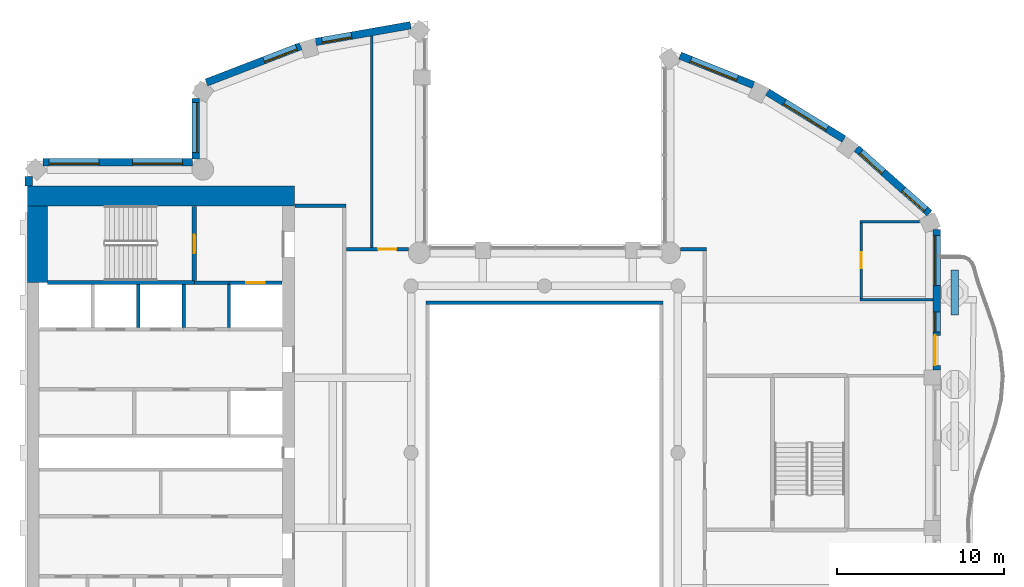
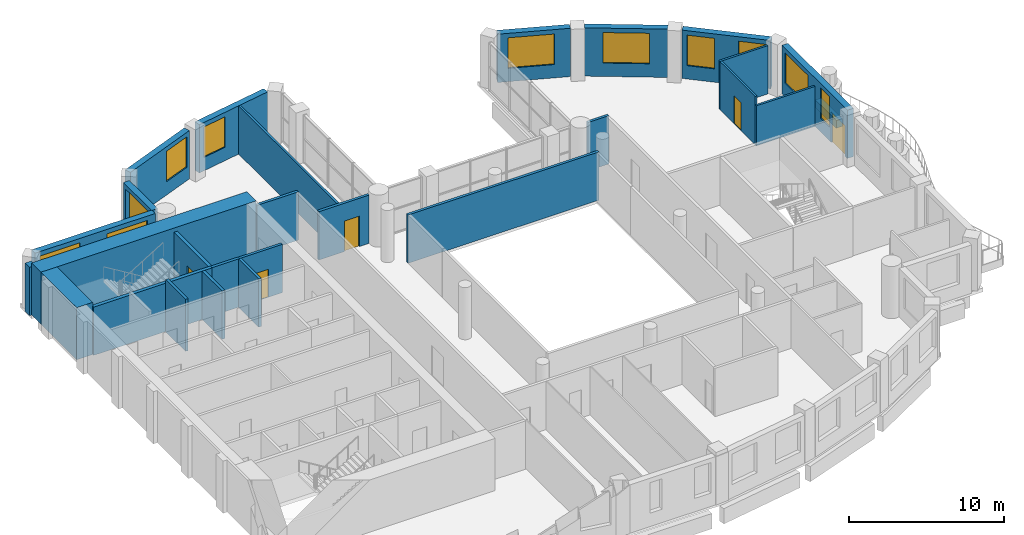
# One storey, part 7 of 14: 27 walls, 11 windows, 5 doors, 16 openings.
"""IFC4 building model written with IfcOpenShell, lengths in metres."""

from ifc_helpers import new_model, si_unit, direction, frame, frame_2d, origin, place, context, subcontext, project, spatial, rectangle, extrude, material, layer, layer_set, type_object, element, fill, save


model = new_model("IFC4")

# Units and contexts
model_context = context("Model", 3, precision=1e-05, world=origin(), true_north=direction((0.0, 1.0)))
body_context = subcontext(model_context, "Body", "Model", "MODEL_VIEW")
ifc_project = project(units=[si_unit("LENGTHUNIT", "METRE"), si_unit("AREAUNIT", "SQUARE_METRE"), si_unit("VOLUMEUNIT", "CUBIC_METRE"), si_unit("PLANEANGLEUNIT", "RADIAN"), si_unit("MASSUNIT", "GRAM", prefix="KILO")], contexts=[model_context])

# Site, building, storey
site_placement = place(None, origin())
site = spatial("IfcSite", under=ifc_project, at=site_placement, CompositionType="ELEMENT")
building_placement = place(site_placement, origin())
building = spatial("IfcBuilding", under=site, at=building_placement, Name="Cypress Arch Tower", CompositionType="ELEMENT")
storey_placement = place(building_placement, frame((0.0, 0.0, 300.800048828125)))
storey = spatial("IfcBuildingStorey", under=building, at=storey_placement, Name="L68", CompositionType="ELEMENT", Elevation=300.800048828125)

# Wall
ifc_material_1 = material(Name="Concrete C40/50, waterproofed", Category="concrete")
ifc_layer_1 = layer(ifc_material_1, 0.449951171875)
ifc_layer_set_1 = layer_set([ifc_layer_1], Name="Balcony planter wall PW450")
wall_type_1 = type_object("IfcWallType", Name="Balcony planter wall PW450", PredefinedType="SOLIDWALL", material=ifc_layer_set_1)
wall_1_placement = place(storey_placement, frame((25.60009765625, 8.25, 0.0), z_axis=(0.0, 0.0, 1.0), x_axis=(0.0, 1.0, 0.0)))
element("IfcWall", 1, at=wall_1_placement, inside=storey, type_object=wall_type_1, Name="Balcony planter wall L68-C17.3", PredefinedType="SOLIDWALL", context=body_context, shape_type="SweptSolid", body=[
    extrude(rectangle(XDim=2.699951171875, YDim=0.449951171875, at=frame_2d((1.35009765625, 0.0))), origin(), (0.0, 0.0, 1.0), 0.599853515625),
])

# Wall, opening, window
ifc_material_2 = material(Name="Brick (red buff blend)", Category="masonry")
ifc_layer_2 = layer(ifc_material_2, 0.449951171875)
ifc_layer_set_2 = layer_set([ifc_layer_2], Name="Brick pier and spandrel wall BW450")
wall_type_2 = type_object("IfcWallType", Name="Brick pier and spandrel wall BW450", PredefinedType="SOLIDWALL", material=ifc_layer_set_2)
wall_2_placement = place(storey_placement, frame((-7.028564453125, 25.63232421875, 0.0), z_axis=(0.0, 0.0, 1.0), x_axis=(-0.984797606634, -0.173705710808, 0.0)))
wall_2 = element("IfcWall", 2, at=wall_2_placement, inside=storey, type_object=wall_type_2, Name="Brick wall L68 C03.0", PredefinedType="SOLIDWALL", context=body_context, shape_type="SweptSolid", body=[
    extrude(rectangle(XDim=5.772216796875, YDim=0.449951171875, at=frame_2d((2.88623046875, 0.0))), origin(), (0.0, 0.0, 1.0), 3.800048828125),
])
opening_1_placement = place(wall_2_placement, frame((3.59326171875, 0.0, 1.050048828125)))
opening_1 = element("IfcOpeningElement", 3, at=opening_1_placement, cuts=wall_2, Name="Opening W180O", PredefinedType="OPENING", context=body_context, shape_type="SweptSolid", body=[
    extrude(rectangle(XDim=1.800048828125, YDim=2.39990234375, at=frame_2d((0.89990234375, 1.199951171875))), frame((0.0, 0.23486328125, 0.0), z_axis=(0.0, -1.0, 0.0), x_axis=(1.0, 0.0, 0.0)), (0.0, 0.0, 1.0), 0.469970703125),
])
ifc_material_3 = material(Name="Anodised aluminium, bronze finish, clear low-emissivity double glazing", Category="aluminium")
window_type_1 = type_object("IfcWindowType", Name="Window Office 1800x2400", PartitioningType="SINGLE_PANEL", PredefinedType="WINDOW", material=ifc_material_3)
window_1_placement = place(opening_1_placement, origin())
window_1 = element("IfcWindow", 4, at=window_1_placement, inside=storey, type_object=window_type_1, Name="Window L68 C03.0.2", OverallHeight=2.39990234375, OverallWidth=1.800048828125, PartitioningType="SINGLE_PANEL", PredefinedType="WINDOW", context=body_context, shape_type="SweptSolid", body=[
    extrude(rectangle(XDim=1.800048828125, YDim=2.39990234375, at=frame_2d((0.89990234375, 1.199951171875))), frame((0.0, 0.135009765625, 0.0), z_axis=(0.0, -1.0, 0.0), x_axis=(1.0, 0.0, 0.0)), (0.0, 0.0, 1.0), 0.06005859375),
])
fill(opening_1, window_1)

wall_3_placement = place(storey_placement, frame((-13.6220703125, 24.376953125, 0.0), z_axis=(0.0, 0.0, 1.0), x_axis=(-0.933129259679, -0.359541075164, 0.0)))
wall_3 = element("IfcWall", 5, at=wall_3_placement, inside=storey, type_object=wall_type_2, Name="Brick wall L68 C04.0", PredefinedType="SOLIDWALL", context=body_context, shape_type="SweptSolid", body=[
    extrude(rectangle(XDim=6.05419921875, YDim=0.449951171875, at=frame_2d((3.027099609375, 0.0))), origin(), (0.0, 0.0, 1.0), 3.800048828125),
])
opening_2_placement = place(wall_3_placement, frame((0.260986328125, 0.0, 1.050048828125)))
opening_2 = element("IfcOpeningElement", 6, at=opening_2_placement, cuts=wall_3, Name="Opening W210O", PredefinedType="OPENING", context=body_context, shape_type="SweptSolid", body=[
    extrude(rectangle(XDim=2.10009765625, YDim=2.39990234375, at=frame_2d((1.050048828125, 1.199951171875))), frame((0.0, 0.23486328125, 0.0), z_axis=(0.0, -1.0, 0.0), x_axis=(1.0, 0.0, 0.0)), (0.0, 0.0, 1.0), 0.469970703125),
])
ifc_material_4 = material(Name="Anodised aluminium, bronze finish, clear low-emissivity double glazing", Category="aluminium")
window_type_2 = type_object("IfcWindowType", Name="Window Office 2100x2400", PartitioningType="SINGLE_PANEL", PredefinedType="WINDOW", material=ifc_material_4)
window_2_placement = place(opening_2_placement, origin())
window_2 = element("IfcWindow", 7, at=window_2_placement, inside=storey, type_object=window_type_2, Name="Window L68 C04.0.1", OverallHeight=2.39990234375, OverallWidth=2.10009765625, PartitioningType="SINGLE_PANEL", PredefinedType="WINDOW", context=body_context, shape_type="SweptSolid", body=[
    extrude(rectangle(XDim=2.10009765625, YDim=2.39990234375, at=frame_2d((1.050048828125, 1.199951171875))), frame((0.0, 0.135009765625, 0.0), z_axis=(0.0, -1.0, 0.0), x_axis=(1.0, 0.0, 0.0)), (0.0, 0.0, 1.0), 0.06005859375),
])
fill(opening_2, window_2)

wall_4_placement = place(storey_placement, frame((-19.925048828125, 21.248291015625, 0.0), z_axis=(0.0, 0.0, 1.0), x_axis=(0.0, -1.0, 0.0)))
wall_4 = element("IfcWall", 8, at=wall_4_placement, inside=storey, type_object=wall_type_2, Name="Brick wall L68 C05.0", PredefinedType="SOLIDWALL", context=body_context, shape_type="SweptSolid", body=[
    extrude(rectangle(XDim=3.646728515625, YDim=0.449951171875, at=frame_2d((1.8232421875, 0.0))), origin(), (0.0, 0.0, 1.0), 3.800048828125),
])
opening_3_placement = place(wall_4_placement, frame((0.251220703125, 0.0, 1.050048828125)))
opening_3 = element("IfcOpeningElement", 9, at=opening_3_placement, cuts=wall_4, Name="Opening W300O", PredefinedType="OPENING", context=body_context, shape_type="SweptSolid", body=[
    extrude(rectangle(XDim=3.0, YDim=2.39990234375, at=frame_2d((1.5, 1.199951171875))), frame((0.0, 0.23486328125, 0.0), z_axis=(0.0, -1.0, 0.0), x_axis=(1.0, 0.0, 0.0)), (0.0, 0.0, 1.0), 0.469970703125),
])
ifc_material_5 = material(Name="Anodised aluminium, bronze finish, clear low-emissivity double glazing", Category="aluminium")
window_type_3 = type_object("IfcWindowType", Name="Window Office 3000x2400", PartitioningType="SINGLE_PANEL", PredefinedType="WINDOW", material=ifc_material_5)
window_3_placement = place(opening_3_placement, origin())
window_3 = element("IfcWindow", 10, at=window_3_placement, inside=storey, type_object=window_type_3, Name="Window L68 C05.0.1", OverallHeight=2.39990234375, OverallWidth=3.0, PartitioningType="SINGLE_PANEL", PredefinedType="WINDOW", context=body_context, shape_type="SweptSolid", body=[
    extrude(rectangle(XDim=3.0, YDim=2.39990234375, at=frame_2d((1.5, 1.199951171875))), frame((0.0, 0.135009765625, 0.0), z_axis=(0.0, -1.0, 0.0), x_axis=(1.0, 0.0, 0.0)), (0.0, 0.0, 1.0), 0.06005859375),
])
fill(opening_3, window_3)

# Wall, openings, windows
wall_5_placement = place(storey_placement, frame((-20.1015625, 17.425048828125, 0.0), z_axis=(0.0, 0.0, 1.0), x_axis=(-1.0, 0.0, 0.0)))
wall_5 = element("IfcWall", 11, at=wall_5_placement, inside=storey, type_object=wall_type_2, Name="Brick wall L68 C06.0", PredefinedType="SOLIDWALL", context=body_context, shape_type="SweptSolid", body=[
    extrude(rectangle(XDim=8.962158203125, YDim=0.449951171875, at=frame_2d((4.48095703125, 0.0))), origin(), (0.0, 0.0, 1.0), 3.800048828125),
])
opening_4_placement = place(wall_5_placement, frame((0.598388671875, 0.0, 1.050048828125)))
opening_4 = element("IfcOpeningElement", 12, at=opening_4_placement, cuts=wall_5, Name="Opening W300O", PredefinedType="OPENING", context=body_context, shape_type="SweptSolid", body=[
    extrude(rectangle(XDim=3.0, YDim=2.39990234375, at=frame_2d((1.5, 1.199951171875))), frame((0.0, 0.23486328125, 0.0), z_axis=(0.0, -1.0, 0.0), x_axis=(1.0, 0.0, 0.0)), (0.0, 0.0, 1.0), 0.469970703125),
])
opening_5_placement = place(wall_5_placement, frame((5.598388671875, 0.0, 1.050048828125)))
opening_5 = element("IfcOpeningElement", 13, at=opening_5_placement, cuts=wall_5, Name="Opening W300O", PredefinedType="OPENING", context=body_context, shape_type="SweptSolid", body=[
    extrude(rectangle(XDim=3.0, YDim=2.39990234375, at=frame_2d((1.5, 1.199951171875))), frame((0.0, 0.23486328125, 0.0), z_axis=(0.0, -1.0, 0.0), x_axis=(1.0, 0.0, 0.0)), (0.0, 0.0, 1.0), 0.469970703125),
])
window_4_placement = place(opening_4_placement, origin())
window_4 = element("IfcWindow", 14, at=window_4_placement, inside=storey, type_object=window_type_3, Name="Window L68 C06.0.1", OverallHeight=2.39990234375, OverallWidth=3.0, PartitioningType="SINGLE_PANEL", PredefinedType="WINDOW", context=body_context, shape_type="SweptSolid", body=[
    extrude(rectangle(XDim=3.0, YDim=2.39990234375, at=frame_2d((1.5, 1.199951171875))), frame((0.0, 0.135009765625, 0.0), z_axis=(0.0, -1.0, 0.0), x_axis=(1.0, 0.0, 0.0)), (0.0, 0.0, 1.0), 0.06005859375),
])
fill(opening_4, window_4)
window_5_placement = place(opening_5_placement, origin())
window_5 = element("IfcWindow", 15, at=window_5_placement, inside=storey, type_object=window_type_3, Name="Window L68 C06.0.2", OverallHeight=2.39990234375, OverallWidth=3.0, PartitioningType="SINGLE_PANEL", PredefinedType="WINDOW", context=body_context, shape_type="SweptSolid", body=[
    extrude(rectangle(XDim=3.0, YDim=2.39990234375, at=frame_2d((1.5, 1.199951171875))), frame((0.0, 0.135009765625, 0.0), z_axis=(0.0, -1.0, 0.0), x_axis=(1.0, 0.0, 0.0)), (0.0, 0.0, 1.0), 0.06005859375),
])
fill(opening_5, window_5)

# Wall
wall_6_placement = place(storey_placement, frame((-29.925048828125, 16.563720703125, 0.0), z_axis=(0.0, 0.0, 1.0), x_axis=(0.0, -1.0, 0.0)))
element("IfcWall", 16, at=wall_6_placement, inside=storey, type_object=wall_type_2, Name="Brick wall L68 C07.0", PredefinedType="SOLIDWALL", context=body_context, shape_type="SweptSolid", body=[
    extrude(rectangle(XDim=0.563720703125, YDim=0.449951171875, at=frame_2d((0.28173828125, 0.0))), origin(), (0.0, 0.0, 1.0), 3.800048828125),
])

# Wall, openings, door, windows
wall_7_placement = place(storey_placement, frame((24.52490234375, 4.949951171875, 0.0), z_axis=(0.0, 0.0, 1.0), x_axis=(0.0, 1.0, 0.0)))
wall_7 = element("IfcWall", 17, at=wall_7_placement, inside=storey, type_object=wall_type_2, Name="Brick wall L68 C17.2", PredefinedType="SOLIDWALL", context=body_context, shape_type="SweptSolid", body=[
    extrude(rectangle(XDim=8.421875, YDim=0.449951171875, at=frame_2d((4.2109375, 0.0))), origin(), (0.0, 0.0, 1.0), 3.800048828125),
])
opening_6_placement = place(wall_7_placement, frame((0.291259765625, 0.0, 0.0)))
opening_6 = element("IfcOpeningElement", 18, at=opening_6_placement, cuts=wall_7, Name="Opening D-L68-C17.2.1", PredefinedType="OPENING", context=body_context, shape_type="SweptSolid", body=[
    extrude(rectangle(XDim=1.800048828125, YDim=2.39990234375, at=frame_2d((0.89990234375, 1.199951171875))), frame((0.0, 0.23486328125, 0.0), z_axis=(0.0, -1.0, 0.0), x_axis=(1.0, 0.0, 0.0)), (0.0, 0.0, 1.0), 0.469970703125),
])
opening_7_placement = place(wall_7_placement, frame((2.291259765625, 0.0, 1.050048828125)))
opening_7 = element("IfcOpeningElement", 19, at=opening_7_placement, cuts=wall_7, Name="Opening W120OD", PredefinedType="OPENING", context=body_context, shape_type="SweptSolid", body=[
    extrude(rectangle(XDim=1.199951171875, YDim=2.39990234375, at=frame_2d((0.60009765625, 1.199951171875))), frame((0.0, 0.23486328125, 0.0), z_axis=(0.0, -1.0, 0.0), x_axis=(1.0, 0.0, 0.0)), (0.0, 0.0, 1.0), 0.469970703125),
])
opening_8_placement = place(wall_7_placement, frame((5.073974609375, 0.0, 1.050048828125)))
opening_8 = element("IfcOpeningElement", 20, at=opening_8_placement, cuts=wall_7, Name="Opening W300OD", PredefinedType="OPENING", context=body_context, shape_type="SweptSolid", body=[
    extrude(rectangle(XDim=3.0, YDim=2.39990234375, at=frame_2d((1.5, 1.199951171875))), frame((0.0, 0.23486328125, 0.0), z_axis=(0.0, -1.0, 0.0), x_axis=(1.0, 0.0, 0.0)), (0.0, 0.0, 1.0), 0.469970703125),
])
ifc_material_6 = material(Name="Anodised aluminium, bronze finish, laminated low-emissivity double glazing, large-missile impact rated", Category="aluminium")
door_type_1 = type_object("IfcDoorType", Name="Balcony sliding door 1800x2400", OperationType="SLIDING_TO_LEFT", PredefinedType="DOOR", material=ifc_material_6)
door_1_placement = place(opening_6_placement, origin())
door_1 = element("IfcDoor", 21, at=door_1_placement, inside=storey, type_object=door_type_1, Name="Balcony door L68 C17.2.1", OperationType="SLIDING_TO_LEFT", OverallHeight=2.39990234375, OverallWidth=1.800048828125, PredefinedType="DOOR", context=body_context, shape_type="SweptSolid", body=[
    extrude(rectangle(XDim=1.800048828125, YDim=2.39990234375, at=frame_2d((0.89990234375, 1.199951171875))), frame((0.0, 0.1298828125, 0.0), z_axis=(0.0, -1.0, 0.0), x_axis=(1.0, 0.0, 0.0)), (0.0, 0.0, 1.0), 0.050048828125),
])
fill(opening_6, door_1)
ifc_material_7 = material(Name="Anodised aluminium, bronze finish, laminated low-emissivity double glazing, large-missile impact rated", Category="aluminium")
window_type_4 = type_object("IfcWindowType", Name="Window Office 1200x2400 debris-rated", PartitioningType="SINGLE_PANEL", PredefinedType="WINDOW", material=ifc_material_7)
window_6_placement = place(opening_7_placement, origin())
window_6 = element("IfcWindow", 22, at=window_6_placement, inside=storey, type_object=window_type_4, Name="Window L68 C17.2.1", OverallHeight=2.39990234375, OverallWidth=1.199951171875, PartitioningType="SINGLE_PANEL", PredefinedType="WINDOW", context=body_context, shape_type="SweptSolid", body=[
    extrude(rectangle(XDim=1.199951171875, YDim=2.39990234375, at=frame_2d((0.60009765625, 1.199951171875))), frame((0.0, 0.135009765625, 0.0), z_axis=(0.0, -1.0, 0.0), x_axis=(1.0, 0.0, 0.0)), (0.0, 0.0, 1.0), 0.06005859375),
])
fill(opening_7, window_6)
ifc_material_8 = material(Name="Anodised aluminium, bronze finish, laminated low-emissivity double glazing, large-missile impact rated", Category="aluminium")
window_type_5 = type_object("IfcWindowType", Name="Window Office 3000x2400 debris-rated", PartitioningType="SINGLE_PANEL", PredefinedType="WINDOW", material=ifc_material_8)
window_7_placement = place(opening_8_placement, origin())
window_7 = element("IfcWindow", 23, at=window_7_placement, inside=storey, type_object=window_type_5, Name="Window L68 C17.2.2", OverallHeight=2.39990234375, OverallWidth=3.0, PartitioningType="SINGLE_PANEL", PredefinedType="WINDOW", context=body_context, shape_type="SweptSolid", body=[
    extrude(rectangle(XDim=3.0, YDim=2.39990234375, at=frame_2d((1.5, 1.199951171875))), frame((0.0, 0.135009765625, 0.0), z_axis=(0.0, -1.0, 0.0), x_axis=(1.0, 0.0, 0.0)), (0.0, 0.0, 1.0), 0.06005859375),
])
fill(opening_8, window_7)

# Wall, openings, windows
wall_8_placement = place(storey_placement, frame((24.08056640625, 14.361083984375, 0.0), z_axis=(0.0, 0.0, 1.0), x_axis=(-0.747570482973, 0.664182484704, 0.0)))
wall_8 = element("IfcWall", 24, at=wall_8_placement, inside=storey, type_object=wall_type_2, Name="Brick wall L68 C18.0", PredefinedType="SOLIDWALL", context=body_context, shape_type="SweptSolid", body=[
    extrude(rectangle(XDim=5.849609375, YDim=0.449951171875, at=frame_2d((2.9248046875, 0.0))), origin(), (0.0, 0.0, 1.0), 3.800048828125),
])
opening_9_placement = place(wall_8_placement, frame((0.305419921875, 0.0, 1.050048828125)))
opening_9 = element("IfcOpeningElement", 25, at=opening_9_placement, cuts=wall_8, Name="Opening W180O", PredefinedType="OPENING", context=body_context, shape_type="SweptSolid", body=[
    extrude(rectangle(XDim=1.800048828125, YDim=2.39990234375, at=frame_2d((0.89990234375, 1.199951171875))), frame((0.0, 0.23486328125, 0.0), z_axis=(0.0, -1.0, 0.0), x_axis=(1.0, 0.0, 0.0)), (0.0, 0.0, 1.0), 0.469970703125),
])
opening_10_placement = place(wall_8_placement, frame((3.702880859375, 0.0, 1.050048828125)))
opening_10 = element("IfcOpeningElement", 26, at=opening_10_placement, cuts=wall_8, Name="Opening W180O", PredefinedType="OPENING", context=body_context, shape_type="SweptSolid", body=[
    extrude(rectangle(XDim=1.800048828125, YDim=2.39990234375, at=frame_2d((0.89990234375, 1.199951171875))), frame((0.0, 0.23486328125, 0.0), z_axis=(0.0, -1.0, 0.0), x_axis=(1.0, 0.0, 0.0)), (0.0, 0.0, 1.0), 0.469970703125),
])
window_8_placement = place(opening_9_placement, origin())
window_8 = element("IfcWindow", 27, at=window_8_placement, inside=storey, type_object=window_type_1, Name="Window L68 C18.0.1", OverallHeight=2.39990234375, OverallWidth=1.800048828125, PartitioningType="SINGLE_PANEL", PredefinedType="WINDOW", context=body_context, shape_type="SweptSolid", body=[
    extrude(rectangle(XDim=1.800048828125, YDim=2.39990234375, at=frame_2d((0.89990234375, 1.199951171875))), frame((0.0, 0.135009765625, 0.0), z_axis=(0.0, -1.0, 0.0), x_axis=(1.0, 0.0, 0.0)), (0.0, 0.0, 1.0), 0.06005859375),
])
fill(opening_9, window_8)
window_9_placement = place(opening_10_placement, origin())
window_9 = element("IfcWindow", 28, at=window_9_placement, inside=storey, type_object=window_type_1, Name="Window L68 C18.0.2", OverallHeight=2.39990234375, OverallWidth=1.800048828125, PartitioningType="SINGLE_PANEL", PredefinedType="WINDOW", context=body_context, shape_type="SweptSolid", body=[
    extrude(rectangle(XDim=1.800048828125, YDim=2.39990234375, at=frame_2d((0.89990234375, 1.199951171875))), frame((0.0, 0.135009765625, 0.0), z_axis=(0.0, -1.0, 0.0), x_axis=(1.0, 0.0, 0.0)), (0.0, 0.0, 1.0), 0.06005859375),
])
fill(opening_10, window_9)

# Wall, opening, window
wall_9_placement = place(storey_placement, frame((18.953369140625, 18.806396484375, 0.0), z_axis=(0.0, 0.0, 1.0), x_axis=(-0.851860664503, 0.523768468193, 0.0)))
wall_9 = element("IfcWall", 29, at=wall_9_placement, inside=storey, type_object=wall_type_2, Name="Brick wall L68 C19.0", PredefinedType="SOLIDWALL", context=body_context, shape_type="SweptSolid", body=[
    extrude(rectangle(XDim=5.3837890625, YDim=0.449951171875, at=frame_2d((2.69189453125, 0.0))), origin(), (0.0, 0.0, 1.0), 3.800048828125),
])
opening_11_placement = place(wall_9_placement, frame((1.19189453125, 0.0, 1.050048828125)))
opening_11 = element("IfcOpeningElement", 30, at=opening_11_placement, cuts=wall_9, Name="Opening W300O", PredefinedType="OPENING", context=body_context, shape_type="SweptSolid", body=[
    extrude(rectangle(XDim=3.0, YDim=2.39990234375, at=frame_2d((1.5, 1.199951171875))), frame((0.0, 0.23486328125, 0.0), z_axis=(0.0, -1.0, 0.0), x_axis=(1.0, 0.0, 0.0)), (0.0, 0.0, 1.0), 0.469970703125),
])
window_10_placement = place(opening_11_placement, origin())
window_10 = element("IfcWindow", 31, at=window_10_placement, inside=storey, type_object=window_type_3, Name="Window L68 C19.0.1", OverallHeight=2.39990234375, OverallWidth=3.0, PartitioningType="SINGLE_PANEL", PredefinedType="WINDOW", context=body_context, shape_type="SweptSolid", body=[
    extrude(rectangle(XDim=3.0, YDim=2.39990234375, at=frame_2d((1.5, 1.199951171875))), frame((0.0, 0.135009765625, 0.0), z_axis=(0.0, -1.0, 0.0), x_axis=(1.0, 0.0, 0.0)), (0.0, 0.0, 1.0), 0.06005859375),
])
fill(opening_11, window_10)

wall_10_placement = place(storey_placement, frame((13.529296875, 22.04833984375, 0.0), z_axis=(0.0, 0.0, 1.0), x_axis=(-0.927957332619, 0.372686448424, 0.0)))
wall_10 = element("IfcWall", 32, at=wall_10_placement, inside=storey, type_object=wall_type_2, Name="Brick wall L68 C20.0", PredefinedType="SOLIDWALL", context=body_context, shape_type="SweptSolid", body=[
    extrude(rectangle(XDim=4.741455078125, YDim=0.449951171875, at=frame_2d((2.37060546875, 0.0))), origin(), (0.0, 0.0, 1.0), 3.800048828125),
])
opening_12_placement = place(wall_10_placement, frame((1.046630859375, 0.0, 1.050048828125)))
opening_12 = element("IfcOpeningElement", 33, at=opening_12_placement, cuts=wall_10, Name="Opening W300O", PredefinedType="OPENING", context=body_context, shape_type="SweptSolid", body=[
    extrude(rectangle(XDim=3.0, YDim=2.39990234375, at=frame_2d((1.5, 1.199951171875))), frame((0.0, 0.23486328125, 0.0), z_axis=(0.0, -1.0, 0.0), x_axis=(1.0, 0.0, 0.0)), (0.0, 0.0, 1.0), 0.469970703125),
])
window_11_placement = place(opening_12_placement, origin())
window_11 = element("IfcWindow", 34, at=window_11_placement, inside=storey, type_object=window_type_3, Name="Window L68 C20.0.1", OverallHeight=2.39990234375, OverallWidth=3.0, PartitioningType="SINGLE_PANEL", PredefinedType="WINDOW", context=body_context, shape_type="SweptSolid", body=[
    extrude(rectangle(XDim=3.0, YDim=2.39990234375, at=frame_2d((1.5, 1.199951171875))), frame((0.0, 0.135009765625, 0.0), z_axis=(0.0, -1.0, 0.0), x_axis=(1.0, 0.0, 0.0)), (0.0, 0.0, 1.0), 0.06005859375),
])
fill(opening_12, window_11)

# Walls
ifc_material_9 = material(Name="Concrete C60/75", Category="concrete")
ifc_layer_3 = layer(ifc_material_9, 1.199951171875)
ifc_layer_set_3 = layer_set([ifc_layer_3], Name="Core wall CW1200 C60/75")
wall_type_3 = type_object("IfcWallType", Name="Core wall CW1200 C60/75", PredefinedType="SHEAR", material=ifc_layer_set_3)
wall_11_placement = place(storey_placement, frame((-30.0, 15.39990234375, 0.0), z_axis=(0.0, 0.0, 1.0), x_axis=(1.0, 0.0, 0.0)))
element("IfcWall", 35, at=wall_11_placement, inside=storey, type_object=wall_type_3, Name="Core wall", PredefinedType="SHEAR", context=body_context, shape_type="SweptSolid", body=[
    extrude(rectangle(XDim=16.0, YDim=1.199951171875, at=frame_2d((8.0, 0.0))), origin(), (0.0, 0.0, 1.0), 4.099853515625),
])
wall_12_placement = place(storey_placement, frame((-29.39990234375, 10.199951171875, 0.0), z_axis=(0.0, 0.0, 1.0), x_axis=(0.0, 1.0, 0.0)))
element("IfcWall", 36, at=wall_12_placement, inside=storey, type_object=wall_type_3, Name="Core wall", PredefinedType="SHEAR", context=body_context, shape_type="SweptSolid", body=[
    extrude(rectangle(XDim=4.60009765625, YDim=1.199951171875, at=frame_2d((2.300048828125, 0.0))), origin(), (0.0, 0.0, 1.0), 4.099853515625),
])
ifc_material_10 = material(Name="Concrete blockwork, plastered, rated", Category="masonry")
ifc_layer_4 = layer(ifc_material_10, 0.199951171875)
ifc_layer_set_4 = layer_set([ifc_layer_4], Name="Corridor wall FW200")
wall_type_4 = type_object("IfcWallType", Name="Corridor wall FW200", PredefinedType="PARTITIONING", material=ifc_layer_set_4)
wall_13_placement = place(storey_placement, frame((-20.0, 10.199951171875, 0.0), z_axis=(0.0, 0.0, 1.0), x_axis=(1.0, 0.0, 0.0)))
element("IfcWall", 37, at=wall_13_placement, inside=storey, type_object=wall_type_4, Name="Corridor wall", PredefinedType="PARTITIONING", context=body_context, shape_type="SweptSolid", body=[
    extrude(rectangle(XDim=2.080078125, YDim=0.199951171875, at=frame_2d((1.0400390625, 0.0))), origin(), (0.0, 0.0, 1.0), 3.800048828125),
])
wall_14_placement = place(storey_placement, frame((-13.969970703125, 14.800048828125, 0.0), z_axis=(0.0, 0.0, 1.0), x_axis=(1.0, 0.0, 0.0)))
element("IfcWall", 38, at=wall_14_placement, inside=storey, type_object=wall_type_4, Name="Corridor wall", PredefinedType="PARTITIONING", context=body_context, shape_type="SweptSolid", body=[
    extrude(rectangle(XDim=3.070068359375, YDim=0.199951171875, at=frame_2d((1.53515625, 0.0))), origin(), (0.0, 0.0, 1.0), 3.800048828125),
])

# Wall, opening, door
wall_15_placement = place(storey_placement, frame((-10.8798828125, 12.199951171875, 0.0), z_axis=(0.0, 0.0, 1.0), x_axis=(1.0, 0.0, 0.0)))
wall_15 = element("IfcWall", 39, at=wall_15_placement, inside=storey, type_object=wall_type_4, Name="Corridor wall", PredefinedType="PARTITIONING", context=body_context, shape_type="SweptSolid", body=[
    extrude(rectangle(XDim=3.736083984375, YDim=0.199951171875, at=frame_2d((1.8681640625, 0.0))), origin(), (0.0, 0.0, 1.0), 3.800048828125),
])
opening_13_placement = place(wall_15_placement, frame((1.89990234375, 0.0, 0.0)))
opening_13 = element("IfcOpeningElement", 40, at=opening_13_placement, cuts=wall_15, Name="Opening D01", PredefinedType="OPENING", context=body_context, shape_type="SweptSolid", body=[
    extrude(rectangle(XDim=1.10009765625, YDim=2.39990234375, at=frame_2d((0.550048828125, 1.199951171875))), frame((0.0, 0.10986328125, 0.0), z_axis=(0.0, -1.0, 0.0), x_axis=(1.0, 0.0, 0.0)), (0.0, 0.0, 1.0), 0.219970703125),
])
ifc_material_11 = material(Name="Timber flush door, fire resisting, self-closing", Category="wood")
door_type_2 = type_object("IfcDoorType", Name="Unit entrance door D01 1100x2400", OperationType="SINGLE_SWING_LEFT", PredefinedType="DOOR", material=ifc_material_11)
door_2_placement = place(opening_13_placement, origin())
door_2 = element("IfcDoor", 41, at=door_2_placement, inside=storey, type_object=door_type_2, Name="Unit entrance door", OperationType="SINGLE_SWING_LEFT", OverallHeight=2.39990234375, OverallWidth=1.10009765625, PredefinedType="DOOR", context=body_context, shape_type="SweptSolid", body=[
    extrude(rectangle(XDim=1.10009765625, YDim=2.39990234375, at=frame_2d((0.550048828125, 1.199951171875))), frame((0.0, 0.02490234375, 0.0), z_axis=(0.0, -1.0, 0.0), x_axis=(1.0, 0.0, 0.0)), (0.0, 0.0, 1.0), 0.050048828125),
])
fill(opening_13, door_2)

# Walls
wall_16_placement = place(storey_placement, frame((-6.10009765625, 9.0, 0.0), z_axis=(0.0, 0.0, 1.0), x_axis=(1.0, 0.0, 0.0)))
element("IfcWall", 42, at=wall_16_placement, inside=storey, type_object=wall_type_4, Name="Corridor wall", PredefinedType="PARTITIONING", context=body_context, shape_type="SweptSolid", body=[
    extrude(rectangle(XDim=14.2001953125, YDim=0.199951171875, at=frame_2d((7.10009765625, 0.0))), origin(), (0.0, 0.0, 1.0), 3.800048828125),
])
wall_17_placement = place(storey_placement, frame((9.143798828125, 12.199951171875, 0.0), z_axis=(0.0, 0.0, 1.0), x_axis=(1.0, 0.0, 0.0)))
element("IfcWall", 43, at=wall_17_placement, inside=storey, type_object=wall_type_4, Name="Corridor wall", PredefinedType="PARTITIONING", context=body_context, shape_type="SweptSolid", body=[
    extrude(rectangle(XDim=1.55615234375, YDim=0.199951171875, at=frame_2d((0.778076171875, 0.0))), origin(), (0.0, 0.0, 1.0), 3.800048828125),
])
ifc_material_12 = material(Name="Blockwork, plastered both sides", Category="masonry")
ifc_layer_5 = layer(ifc_material_12, 0.14990234375)
ifc_layer_set_5 = layer_set([ifc_layer_5], Name="Partition PW150")
wall_type_5 = type_object("IfcWallType", Name="Partition PW150", PredefinedType="PARTITIONING", material=ifc_layer_set_5)
wall_18_placement = place(storey_placement, frame((-9.344482421875, 12.320068359375, 0.0), z_axis=(0.0, 0.0, 1.0), x_axis=(0.0, 1.0, 0.0)))
element("IfcWall", 44, at=wall_18_placement, inside=storey, type_object=wall_type_5, Name="Partition", PredefinedType="PARTITIONING", context=body_context, shape_type="SweptSolid", body=[
    extrude(rectangle(XDim=12.67529296875, YDim=0.14990234375, at=frame_2d((6.337646484375, 0.0))), origin(), (0.0, 0.0, 1.0), 3.800048828125),
])

# Wall, opening, door
wall_19_placement = place(storey_placement, frame((20.0, 9.258056640625, 0.0), z_axis=(0.0, 0.0, 1.0), x_axis=(0.0, 1.0, 0.0)))
wall_19 = element("IfcWall", 45, at=wall_19_placement, inside=storey, type_object=wall_type_5, Name="Partition", PredefinedType="PARTITIONING", context=body_context, shape_type="SweptSolid", body=[
    extrude(rectangle(XDim=4.531982421875, YDim=0.14990234375, at=frame_2d((2.26611328125, 0.0))), origin(), (0.0, 0.0, 1.0), 3.800048828125),
])
opening_14_placement = place(wall_19_placement, frame((1.800048828125, 0.0, 0.0)))
opening_14 = element("IfcOpeningElement", 46, at=opening_14_placement, cuts=wall_19, Name="Opening D12", PredefinedType="OPENING", context=body_context, shape_type="SweptSolid", body=[
    extrude(rectangle(XDim=0.949951171875, YDim=2.199951171875, at=frame_2d((0.47509765625, 1.10009765625))), frame((0.0, 0.0849609375, 0.0), z_axis=(0.0, -1.0, 0.0), x_axis=(1.0, 0.0, 0.0)), (0.0, 0.0, 1.0), 0.169921875),
])
ifc_material_13 = material(Name="Timber flush door", Category="wood")
door_type_3 = type_object("IfcDoorType", Name="Room door D12 950x2200", OperationType="SINGLE_SWING_LEFT", PredefinedType="DOOR", material=ifc_material_13)
door_3_placement = place(opening_14_placement, origin())
door_3 = element("IfcDoor", 47, at=door_3_placement, inside=storey, type_object=door_type_3, Name="Room door", OperationType="SINGLE_SWING_RIGHT", OverallHeight=2.199951171875, OverallWidth=0.949951171875, PredefinedType="DOOR", context=body_context, shape_type="SweptSolid", body=[
    extrude(rectangle(XDim=0.949951171875, YDim=2.199951171875, at=frame_2d((0.47509765625, 1.10009765625))), frame((0.0, 0.02490234375, 0.0), z_axis=(0.0, -1.0, 0.0), x_axis=(1.0, 0.0, 0.0)), (0.0, 0.0, 1.0), 0.050048828125),
])
fill(opening_14, door_3)

# Walls
wall_20_placement = place(storey_placement, frame((19.925048828125, 9.18310546875, 0.0), z_axis=(0.0, 0.0, 1.0), x_axis=(1.0, 0.0, 0.0)))
element("IfcWall", 48, at=wall_20_placement, inside=storey, type_object=wall_type_5, Name="Partition", PredefinedType="PARTITIONING", context=body_context, shape_type="SweptSolid", body=[
    extrude(rectangle(XDim=4.375, YDim=0.14990234375, at=frame_2d((2.1875, 0.0))), origin(), (0.0, 0.0, 1.0), 3.14990234375),
])
wall_21_placement = place(storey_placement, frame((19.925048828125, 13.864990234375, 0.0), z_axis=(0.0, 0.0, 1.0), x_axis=(1.0, 0.0, 0.0)))
element("IfcWall", 49, at=wall_21_placement, inside=storey, type_object=wall_type_5, Name="Partition", PredefinedType="PARTITIONING", context=body_context, shape_type="SweptSolid", body=[
    extrude(rectangle(XDim=3.568115234375, YDim=0.14990234375, at=frame_2d((1.7841796875, 0.0))), origin(), (0.0, 0.0, 1.0), 3.800048828125),
])
ifc_material_14 = material(Name="Concrete C50/60", Category="concrete")
ifc_layer_6 = layer(ifc_material_14, 0.199951171875)
ifc_layer_set_6 = layer_set([ifc_layer_6], Name="Shaft wall SH200")
wall_type_6 = type_object("IfcWallType", Name="Shaft wall SH200", PredefinedType="SHEAR", material=ifc_layer_set_6)
wall_22_placement = place(storey_placement, frame((-23.360107421875, 7.5, 0.0), z_axis=(0.0, 0.0, 1.0), x_axis=(0.0, 1.0, 0.0)))
element("IfcWall", 50, at=wall_22_placement, inside=storey, type_object=wall_type_6, Name="Shaft wall", PredefinedType="SHEAR", context=body_context, shape_type="SweptSolid", body=[
    extrude(rectangle(XDim=2.574951171875, YDim=0.199951171875, at=frame_2d((1.28759765625, 0.0))), origin(), (0.0, 0.0, 1.0), 4.099853515625),
])
wall_23_placement = place(storey_placement, frame((-20.639892578125, 7.5, 0.0), z_axis=(0.0, 0.0, 1.0), x_axis=(0.0, 1.0, 0.0)))
element("IfcWall", 51, at=wall_23_placement, inside=storey, type_object=wall_type_6, Name="Shaft wall", PredefinedType="SHEAR", context=body_context, shape_type="SweptSolid", body=[
    extrude(rectangle(XDim=2.574951171875, YDim=0.199951171875, at=frame_2d((1.28759765625, 0.0))), origin(), (0.0, 0.0, 1.0), 3.800048828125),
])
wall_24_placement = place(storey_placement, frame((-17.919921875, 7.5, 0.0), z_axis=(0.0, 0.0, 1.0), x_axis=(0.0, 1.0, 0.0)))
element("IfcWall", 52, at=wall_24_placement, inside=storey, type_object=wall_type_6, Name="Shaft wall", PredefinedType="SHEAR", context=body_context, shape_type="SweptSolid", body=[
    extrude(rectangle(XDim=2.60009765625, YDim=0.199951171875, at=frame_2d((1.300048828125, 0.0))), origin(), (0.0, 0.0, 1.0), 3.800048828125),
])

# Wall, opening, door
wall_25_placement = place(storey_placement, frame((-17.919921875, 10.199951171875, 0.0), z_axis=(0.0, 0.0, 1.0), x_axis=(1.0, 0.0, 0.0)))
wall_25 = element("IfcWall", 53, at=wall_25_placement, inside=storey, type_object=wall_type_6, Name="Shaft wall", PredefinedType="SHEAR", context=body_context, shape_type="SweptSolid", body=[
    extrude(rectangle(XDim=3.18994140625, YDim=0.199951171875, at=frame_2d((1.594970703125, 0.0))), origin(), (0.0, 0.0, 1.0), 3.800048828125),
])
opening_15_placement = place(wall_25_placement, frame((1.050048828125, 0.0, 0.0)))
opening_15 = element("IfcOpeningElement", 54, at=opening_15_placement, cuts=wall_25, Name="Opening LD-FL2", PredefinedType="OPENING", context=body_context, shape_type="SweptSolid", body=[
    extrude(rectangle(XDim=1.10009765625, YDim=2.199951171875, at=frame_2d((0.550048828125, 1.10009765625))), frame((0.0, 0.10986328125, 0.0), z_axis=(0.0, -1.0, 0.0), x_axis=(1.0, 0.0, 0.0)), (0.0, 0.0, 1.0), 0.219970703125),
])
ifc_material_15 = material(Name="Stainless steel centre-opening landing door, rated", Category="steel")
door_type_4 = type_object("IfcDoorType", Name="Lift landing door LD 1100x2200", OperationType="DOUBLE_DOOR_SLIDING", PredefinedType="DOOR", material=ifc_material_15)
door_4_placement = place(opening_15_placement, origin())
door_4 = element("IfcDoor", 55, at=door_4_placement, inside=storey, type_object=door_type_4, Name="Lift landing doors FL2", OperationType="DOUBLE_DOOR_SLIDING", OverallHeight=2.199951171875, OverallWidth=1.10009765625, PredefinedType="DOOR", context=body_context, shape_type="SweptSolid", body=[
    extrude(rectangle(XDim=1.10009765625, YDim=2.199951171875, at=frame_2d((0.550048828125, 1.10009765625))), frame((0.0, 0.02490234375, 0.0), z_axis=(0.0, -1.0, 0.0), x_axis=(1.0, 0.0, 0.0)), (0.0, 0.0, 1.0), 0.050048828125),
])
fill(opening_15, door_4)

# Wall
ifc_material_16 = material(Name="Concrete C50/60", Category="concrete")
ifc_layer_7 = layer(ifc_material_16, 0.25)
ifc_layer_set_7 = layer_set([ifc_layer_7], Name="Stair enclosure wall SW250")
wall_type_7 = type_object("IfcWallType", Name="Stair enclosure wall SW250", PredefinedType="SHEAR", material=ifc_layer_set_7)
wall_26_placement = place(storey_placement, frame((-28.81005859375, 10.199951171875, 0.0), z_axis=(0.0, 0.0, 1.0), x_axis=(1.0, 0.0, 0.0)))
element("IfcWall", 56, at=wall_26_placement, inside=storey, type_object=wall_type_7, Name="Stair enclosure wall", PredefinedType="SHEAR", context=body_context, shape_type="SweptSolid", body=[
    extrude(rectangle(XDim=8.81005859375, YDim=0.25, at=frame_2d((4.405029296875, 0.0))), origin(), (0.0, 0.0, 1.0), 3.800048828125),
])

# Wall, opening, door
wall_27_placement = place(storey_placement, frame((-20.0, 10.324951171875, 0.0), z_axis=(0.0, 0.0, 1.0), x_axis=(0.0, 1.0, 0.0)))
wall_27 = element("IfcWall", 57, at=wall_27_placement, inside=storey, type_object=wall_type_7, Name="Stair enclosure wall", PredefinedType="SHEAR", context=body_context, shape_type="SweptSolid", body=[
    extrude(rectangle(XDim=4.445068359375, YDim=0.25, at=frame_2d((2.22265625, 0.0))), origin(), (0.0, 0.0, 1.0), 3.800048828125),
])
opening_16_placement = place(wall_27_placement, frame((1.64990234375, 0.0, 0.0)))
opening_16 = element("IfcOpeningElement", 58, at=opening_16_placement, cuts=wall_27, Name="Opening D06", PredefinedType="OPENING", context=body_context, shape_type="SweptSolid", body=[
    extrude(rectangle(XDim=1.10009765625, YDim=2.199951171875, at=frame_2d((0.550048828125, 1.10009765625))), frame((0.0, 0.135009765625, 0.0), z_axis=(0.0, -1.0, 0.0), x_axis=(1.0, 0.0, 0.0)), (0.0, 0.0, 1.0), 0.27001953125),
])
ifc_material_17 = material(Name="Steel door, fire resisting, panic bar", Category="steel")
door_type_5 = type_object("IfcDoorType", Name="Stair door D06 1100x2200", OperationType="SINGLE_SWING_LEFT", PredefinedType="DOOR", material=ifc_material_17)
door_5_placement = place(opening_16_placement, origin())
door_5 = element("IfcDoor", 59, at=door_5_placement, inside=storey, type_object=door_type_5, Name="Stair door", OperationType="SINGLE_SWING_LEFT", OverallHeight=2.199951171875, OverallWidth=1.10009765625, PredefinedType="DOOR", context=body_context, shape_type="SweptSolid", body=[
    extrude(rectangle(XDim=1.10009765625, YDim=2.199951171875, at=frame_2d((0.550048828125, 1.10009765625))), frame((0.0, 0.02490234375, 0.0), z_axis=(0.0, -1.0, 0.0), x_axis=(1.0, 0.0, 0.0)), (0.0, 0.0, 1.0), 0.050048828125),
])
fill(opening_16, door_5)

save(model, "model.ifc")
